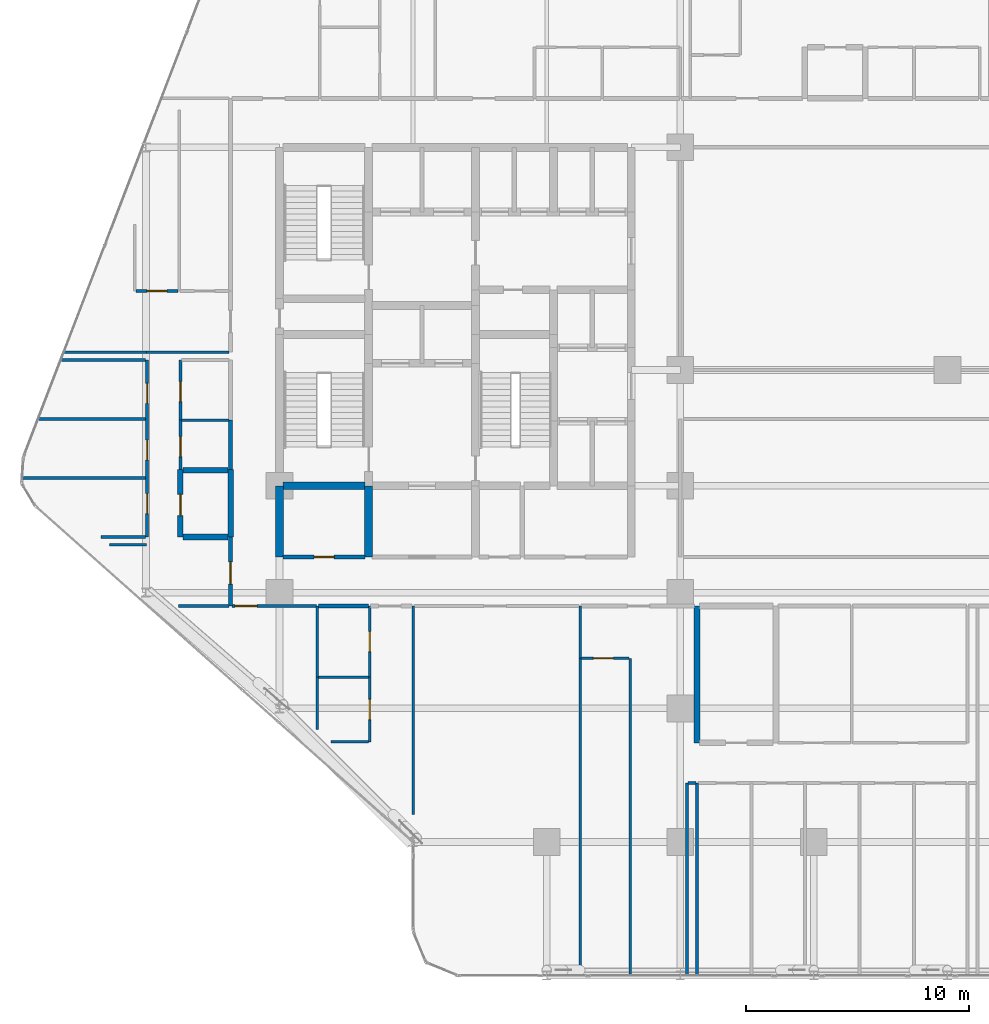
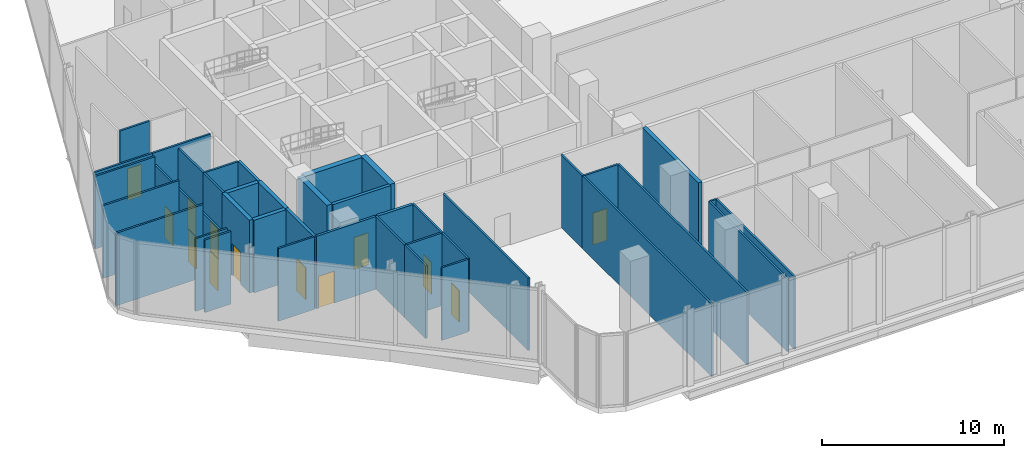
# One storey, part 29 of 36: 40 walls, 13 doors, 13 openings.
"""IFC4 building model written with IfcOpenShell, lengths in metres."""

from ifc_helpers import new_model, si_unit, direction, frame, frame_2d, origin, place, context, subcontext, project, spatial, rectangle, extrude, material, layer, layer_set, type_object, element, fill, save


model = new_model("IFC4")

# Units and contexts
model_context = context("Model", 3, precision=1e-05, world=origin(), true_north=direction((0.0, 1.0)))
body_context = subcontext(model_context, "Body", "Model", "MODEL_VIEW")
ifc_project = project(units=[si_unit("LENGTHUNIT", "METRE"), si_unit("AREAUNIT", "SQUARE_METRE"), si_unit("VOLUMEUNIT", "CUBIC_METRE"), si_unit("PLANEANGLEUNIT", "RADIAN"), si_unit("MASSUNIT", "GRAM", prefix="KILO")], contexts=[model_context])

# Site, building, storey
site_placement = place(None, origin())
site = spatial("IfcSite", under=ifc_project, at=site_placement, CompositionType="ELEMENT")
building_placement = place(site_placement, origin())
building = spatial("IfcBuilding", under=site, at=building_placement, Name="Keshet Zoharim Tower", CompositionType="ELEMENT")
storey_placement = place(building_placement, frame((0.0, 0.0, 81.199951171875)))
storey = spatial("IfcBuildingStorey", under=building, at=storey_placement, Name="L19", CompositionType="ELEMENT", Elevation=81.199951171875)

# Wall, opening, door
ifc_material_1 = material(Name="Gypsum Plasterboard", Category="gypsum")
ifc_layer_1 = layer(ifc_material_1, 0.14990234375)
ifc_layer_set_1 = layer_set([ifc_layer_1], Name="Gypsum Plasterboard")
wall_type_1 = type_object("IfcWallType", Name="WL-CLIN-150", PredefinedType="STANDARD", material=ifc_layer_set_1)
wall_1_placement = place(storey_placement, frame((12.875, 17.300048828125, 0.0), z_axis=(0.0, 0.0, 1.0), x_axis=(1.0, 0.0, 0.0)))
wall_1 = element("IfcWall", 1, at=wall_1_placement, inside=storey, type_object=wall_type_1, Name="L19 Interior Wall 135", PredefinedType="STANDARD", context=body_context, shape_type="SweptSolid", body=[
    extrude(rectangle(XDim=3.780029296875, YDim=0.14990234375, at=frame_2d((1.89013671875, 0.0))), origin(), (0.0, 0.0, 1.0), 4.885009765625),
])
opening_1_placement = place(wall_1_placement, frame((0.1201171875, 0.0, 0.0)))
opening_1 = element("IfcOpeningElement", 2, at=opening_1_placement, cuts=wall_1, Name="Opening D-F310", PredefinedType="OPENING", context=body_context, shape_type="SweptSolid", body=[
    extrude(rectangle(XDim=1.0, YDim=2.14990234375, at=frame_2d((0.5, 1.074951171875))), frame((0.0, 0.0849609375, 0.0), z_axis=(0.0, -1.0, 0.0), x_axis=(1.0, 0.0, 0.0)), (0.0, 0.0, 1.0), 0.169921875),
])
ifc_material_2 = material(Name="Hardwood Timber", Category="wood")
door_type_1 = type_object("IfcDoorType", Name="DR-FD30-100", OperationType="NOTDEFINED", PredefinedType="DOOR", material=ifc_material_2)
door_1_placement = place(opening_1_placement, origin())
door_1 = element("IfcDoor", 3, at=door_1_placement, inside=storey, type_object=door_type_1, Name="L19 South West Residents Services Suite Access Door", OperationType="SINGLE_SWING_LEFT", OverallHeight=2.14990234375, OverallWidth=1.0, PredefinedType="DOOR", context=body_context, shape_type="SweptSolid", body=[
    extrude(rectangle(XDim=1.0, YDim=2.14990234375, at=frame_2d((0.5, 1.074951171875))), frame((0.0, 0.02490234375, 0.0), z_axis=(0.0, -1.0, 0.0), x_axis=(1.0, 0.0, 0.0)), (0.0, 0.0, 1.0), 0.050048828125),
])
fill(opening_1, door_1)

# Walls
ifc_material_3 = material(Name="Concrete C60/75", Category="concrete")
ifc_layer_2 = layer(ifc_material_3, 0.35009765625)
ifc_layer_set_2 = layer_set([ifc_layer_2], Name="Concrete C60/75")
wall_type_2 = type_object("IfcWallType", Name="WL-CORE-350", PredefinedType="SHEAR", material=ifc_layer_set_2)
for number, where, z_axis, x_axis, name in (
    (4, (15.0, 19.5, 0.0), (0.0, 0.0, 1.0), (0.0, 1.0, 0.0), "L19 Core Shear Wall 013"),
    (5, (19.0, 19.5, 0.0), (0.0, 0.0, 1.0), (0.0, 1.0, 0.0), "L19 Core Shear Wall 021"),
):
    element("IfcWall", number, at=place(storey_placement, frame(where, z_axis=z_axis, x_axis=x_axis)), inside=storey, type_object=wall_type_2, Name=name, PredefinedType="SHEAR", context=body_context, shape_type="SweptSolid", body=[
        extrude(rectangle(XDim=3.199951171875, YDim=0.35009765625, at=frame_2d((1.60009765625, 0.0))), origin(), (0.0, 0.0, 1.0), 4.885009765625),
    ])
wall_2_placement = place(storey_placement, frame((15.159912109375, 22.699951171875, 0.0), z_axis=(0.0, 0.0, 1.0), x_axis=(1.0, 0.0, 0.0)))
element("IfcWall", 6, at=wall_2_placement, inside=storey, type_object=wall_type_2, Name="L19 Core Shear Wall 159", PredefinedType="SHEAR", context=body_context, shape_type="SweptSolid", body=[
    extrude(rectangle(XDim=3.68017578125, YDim=0.35009765625, at=frame_2d((1.840087890625, 0.0))), origin(), (0.0, 0.0, 1.0), 4.885009765625),
])

# Wall, opening, door
ifc_layer_3 = layer(ifc_material_1, 0.179931640625)
ifc_layer_set_3 = layer_set([ifc_layer_3], Name="Gypsum Plasterboard")
wall_type_3 = type_object("IfcWallType", Name="WL-CORR-180", PredefinedType="STANDARD", material=ifc_layer_set_3)
wall_3_placement = place(storey_placement, frame((12.800048828125, 17.300048828125, 0.0), z_axis=(0.0, 0.0, 1.0), x_axis=(0.0, 1.0, 0.0)))
wall_3 = element("IfcWall", 7, at=wall_3_placement, inside=storey, type_object=wall_type_3, Name="L19 Interior Wall 007", PredefinedType="STANDARD", context=body_context, shape_type="SweptSolid", body=[
    extrude(rectangle(XDim=3.099853515625, YDim=0.179931640625, at=frame_2d((1.5498046875, 0.0))), origin(), (0.0, 0.0, 1.0), 4.885009765625),
])
opening_2_placement = place(wall_3_placement, frame((0.97802734375, 0.0, 0.0)))
opening_2 = element("IfcOpeningElement", 8, at=opening_2_placement, cuts=wall_3, Name="Opening D-F310", PredefinedType="OPENING", context=body_context, shape_type="SweptSolid", body=[
    extrude(rectangle(XDim=1.0, YDim=2.14990234375, at=frame_2d((0.5, 1.074951171875))), frame((0.0, 0.10009765625, 0.0), z_axis=(0.0, -1.0, 0.0), x_axis=(1.0, 0.0, 0.0)), (0.0, 0.0, 1.0), 0.199951171875),
])
door_2_placement = place(opening_2_placement, origin())
door_2 = element("IfcDoor", 9, at=door_2_placement, inside=storey, type_object=door_type_1, Name="Apartment 1909 Entrance Door", OperationType="SINGLE_SWING_RIGHT", OverallHeight=2.14990234375, OverallWidth=1.0, PredefinedType="DOOR", context=body_context, shape_type="SweptSolid", body=[
    extrude(rectangle(XDim=1.0, YDim=2.14990234375, at=frame_2d((0.5, 1.074951171875))), frame((0.0, 0.02490234375, 0.0), z_axis=(0.0, -1.0, 0.0), x_axis=(1.0, 0.0, 0.0)), (0.0, 0.0, 1.0), 0.050048828125),
])
fill(opening_2, door_2)

# Walls
wall_4_placement = place(storey_placement, frame((12.800048828125, 23.4208984375, 0.0), z_axis=(0.0, 0.0, 1.0), x_axis=(0.0, 1.0, 0.0)))
element("IfcWall", 10, at=wall_4_placement, inside=storey, type_object=wall_type_3, Name="L19 Interior Wall 009", PredefinedType="STANDARD", context=body_context, shape_type="SweptSolid", body=[
    extrude(rectangle(XDim=2.22607421875, YDim=0.179931640625, at=frame_2d((1.113037109375, 0.0))), origin(), (0.0, 0.0, 1.0), 4.885009765625),
])
wall_5_placement = place(storey_placement, frame((16.7451171875, 17.300048828125, 0.0), z_axis=(0.0, 0.0, 1.0), x_axis=(1.0, 0.0, 0.0)))
element("IfcWall", 11, at=wall_5_placement, inside=storey, type_object=wall_type_3, Name="L19 Interior Wall 136", PredefinedType="STANDARD", context=body_context, shape_type="SweptSolid", body=[
    extrude(rectangle(XDim=2.259765625, YDim=0.179931640625, at=frame_2d((1.1298828125, 0.0))), origin(), (0.0, 0.0, 1.0), 4.885009765625),
])

# Wall, opening, door
ifc_material_4 = material(Name="Concrete C50/60", Category="concrete")
ifc_layer_4 = layer(ifc_material_4, 0.199951171875)
ifc_layer_set_4 = layer_set([ifc_layer_4], Name="Concrete C50/60")
wall_type_4 = type_object("IfcWallType", Name="WL-FIRE-200", PredefinedType="STANDARD", material=ifc_layer_set_4)
wall_6_placement = place(storey_placement, frame((15.159912109375, 19.5, 0.0), z_axis=(0.0, 0.0, 1.0), x_axis=(1.0, 0.0, 0.0)))
wall_6 = element("IfcWall", 12, at=wall_6_placement, inside=storey, type_object=wall_type_4, Name="L19 Interior Wall 151", PredefinedType="STANDARD", context=body_context, shape_type="SweptSolid", body=[
    extrude(rectangle(XDim=3.68017578125, YDim=0.199951171875, at=frame_2d((1.840087890625, 0.0))), origin(), (0.0, 0.0, 1.0), 4.885009765625),
])
opening_3_placement = place(wall_6_placement, frame((1.389892578125, 0.0, 0.0)))
opening_3 = element("IfcOpeningElement", 13, at=opening_3_placement, cuts=wall_6, Name="Opening D-F690", PredefinedType="OPENING", context=body_context, shape_type="SweptSolid", body=[
    extrude(rectangle(XDim=0.89990234375, YDim=2.14990234375, at=frame_2d((0.449951171875, 1.074951171875))), frame((0.0, 0.10986328125, 0.0), z_axis=(0.0, -1.0, 0.0), x_axis=(1.0, 0.0, 0.0)), (0.0, 0.0, 1.0), 0.219970703125),
])
door_type_2 = type_object("IfcDoorType", Name="DR-FD60-090", OperationType="NOTDEFINED", PredefinedType="DOOR", material=ifc_material_2)
door_3_placement = place(opening_3_placement, origin())
door_3 = element("IfcDoor", 14, at=door_3_placement, inside=storey, type_object=door_type_2, Name="L19 Refuse Room Door", OperationType="SINGLE_SWING_LEFT", OverallHeight=2.14990234375, OverallWidth=0.89990234375, PredefinedType="DOOR", context=body_context, shape_type="SweptSolid", body=[
    extrude(rectangle(XDim=0.89990234375, YDim=2.14990234375, at=frame_2d((0.449951171875, 1.074951171875))), frame((0.0, 0.02490234375, 0.0), z_axis=(0.0, -1.0, 0.0), x_axis=(1.0, 0.0, 0.0)), (0.0, 0.0, 1.0), 0.050048828125),
])
fill(opening_3, door_3)

ifc_layer_5 = layer(ifc_material_4, 0.25)
ifc_layer_set_5 = layer_set([ifc_layer_5], Name="Concrete C50/60")
wall_type_5 = type_object("IfcWallType", Name="WL-MAMAD-250", PredefinedType="STANDARD", material=ifc_layer_set_5)
wall_7_placement = place(storey_placement, frame((10.550048828125, 20.39990234375, 0.0), z_axis=(0.0, 0.0, 1.0), x_axis=(0.0, 1.0, 0.0)))
wall_7 = element("IfcWall", 15, at=wall_7_placement, inside=storey, type_object=wall_type_5, Name="L19 Interior Wall 004", PredefinedType="STANDARD", context=body_context, shape_type="SweptSolid", body=[
    extrude(rectangle(XDim=3.02099609375, YDim=0.25, at=frame_2d((1.510498046875, 0.0))), origin(), (0.0, 0.0, 1.0), 4.885009765625),
])
opening_4_placement = place(wall_7_placement, frame((0.964111328125, 0.0, 0.0)))
opening_4 = element("IfcOpeningElement", 16, at=opening_4_placement, cuts=wall_7, Name="Opening D-F695", PredefinedType="OPENING", context=body_context, shape_type="SweptSolid", body=[
    extrude(rectangle(XDim=0.949951171875, YDim=2.14990234375, at=frame_2d((0.47509765625, 1.074951171875))), frame((0.0, 0.135009765625, 0.0), z_axis=(0.0, -1.0, 0.0), x_axis=(1.0, 0.0, 0.0)), (0.0, 0.0, 1.0), 0.27001953125),
])
door_type_3 = type_object("IfcDoorType", Name="DR-FD60-095", OperationType="NOTDEFINED", PredefinedType="DOOR", material=ifc_material_2)
door_4_placement = place(opening_4_placement, origin())
door_4 = element("IfcDoor", 17, at=door_4_placement, inside=storey, type_object=door_type_3, Name="Apartment 1909 Study and Shelter Room Door", OperationType="SINGLE_SWING_LEFT", OverallHeight=2.14990234375, OverallWidth=0.949951171875, PredefinedType="DOOR", context=body_context, shape_type="SweptSolid", body=[
    extrude(rectangle(XDim=0.949951171875, YDim=2.14990234375, at=frame_2d((0.47509765625, 1.074951171875))), frame((0.0, 0.02490234375, 0.0), z_axis=(0.0, -1.0, 0.0), x_axis=(1.0, 0.0, 0.0)), (0.0, 0.0, 1.0), 0.050048828125),
])
fill(opening_4, door_4)

# Walls
wall_8_placement = place(storey_placement, frame((12.800048828125, 20.39990234375, 0.0), z_axis=(0.0, 0.0, 1.0), x_axis=(0.0, 1.0, 0.0)))
element("IfcWall", 18, at=wall_8_placement, inside=storey, type_object=wall_type_5, Name="L19 Interior Wall 008", PredefinedType="STANDARD", context=body_context, shape_type="SweptSolid", body=[
    extrude(rectangle(XDim=3.02099609375, YDim=0.25, at=frame_2d((1.510498046875, 0.0))), origin(), (0.0, 0.0, 1.0), 4.885009765625),
])
wall_9_placement = place(storey_placement, frame((33.75, 11.14990234375, 0.0), z_axis=(0.0, 0.0, 1.0), x_axis=(0.0, 1.0, 0.0)))
element("IfcWall", 19, at=wall_9_placement, inside=storey, type_object=wall_type_5, Name="L19 Interior Wall 074", PredefinedType="STANDARD", context=body_context, shape_type="SweptSolid", body=[
    extrude(rectangle(XDim=6.150146484375, YDim=0.25, at=frame_2d((3.0751953125, 0.0))), origin(), (0.0, 0.0, 1.0), 4.885009765625),
])
for number, where, z_axis, x_axis, name in (
    (20, (10.659912109375, 20.39990234375, 0.0), (0.0, 0.0, 1.0), (1.0, 0.0, 0.0), "L19 Interior Wall 158"),
    (21, (10.659912109375, 23.39990234375, 0.0), (0.0, 0.0, 1.0), (1.0, 0.0, 0.0), "L19 Interior Wall 165"),
):
    element("IfcWall", number, at=place(storey_placement, frame(where, z_axis=z_axis, x_axis=x_axis)), inside=storey, type_object=wall_type_5, Name=name, PredefinedType="STANDARD", context=body_context, shape_type="SweptSolid", body=[
        extrude(rectangle(XDim=2.030029296875, YDim=0.25, at=frame_2d((1.01513671875, 0.0))), origin(), (0.0, 0.0, 1.0), 4.885009765625),
    ])

# Wall, openings, doors
ifc_layer_6 = layer(ifc_material_1, 0.1201171875)
ifc_layer_set_6 = layer_set([ifc_layer_6], Name="Gypsum Plasterboard")
wall_type_6 = type_object("IfcWallType", Name="WL-PART-120", PredefinedType="PARTITIONING", material=ifc_layer_set_6)
wall_10_placement = place(storey_placement, frame((9.050048828125, 20.39990234375, 0.0), z_axis=(0.0, 0.0, 1.0), x_axis=(0.0, 1.0, 0.0)))
wall_10 = element("IfcWall", 22, at=wall_10_placement, inside=storey, type_object=wall_type_6, Name="L19 Interior Wall 002", PredefinedType="PARTITIONING", context=body_context, shape_type="SweptSolid", body=[
    extrude(rectangle(XDim=7.9501953125, YDim=0.1201171875, at=frame_2d((3.97509765625, 0.0))), origin(), (0.0, 0.0, 1.0), 4.28515625),
])
opening_5_placement = place(wall_10_placement, frame((1.050048828125, 0.0, 0.0)))
opening_5 = element("IfcOpeningElement", 23, at=opening_5_placement, cuts=wall_10, Name="Opening D-IN90", PredefinedType="OPENING", context=body_context, shape_type="SweptSolid", body=[
    extrude(rectangle(XDim=0.89990234375, YDim=2.14990234375, at=frame_2d((0.449951171875, 1.074951171875))), frame((0.0, 0.070068359375, 0.0), z_axis=(0.0, -1.0, 0.0), x_axis=(1.0, 0.0, 0.0)), (0.0, 0.0, 1.0), 0.14013671875),
])
opening_6_placement = place(wall_10_placement, frame((3.455078125, 0.0, 0.0)))
opening_6 = element("IfcOpeningElement", 24, at=opening_6_placement, cuts=wall_10, Name="Opening D-IN90", PredefinedType="OPENING", context=body_context, shape_type="SweptSolid", body=[
    extrude(rectangle(XDim=0.89990234375, YDim=2.14990234375, at=frame_2d((0.449951171875, 1.074951171875))), frame((0.0, 0.070068359375, 0.0), z_axis=(0.0, -1.0, 0.0), x_axis=(1.0, 0.0, 0.0)), (0.0, 0.0, 1.0), 0.14013671875),
])
opening_7_placement = place(wall_10_placement, frame((6.0, 0.0, 0.0)))
opening_7 = element("IfcOpeningElement", 25, at=opening_7_placement, cuts=wall_10, Name="Opening D-IN90", PredefinedType="OPENING", context=body_context, shape_type="SweptSolid", body=[
    extrude(rectangle(XDim=0.89990234375, YDim=2.14990234375, at=frame_2d((0.449951171875, 1.074951171875))), frame((0.0, 0.070068359375, 0.0), z_axis=(0.0, -1.0, 0.0), x_axis=(1.0, 0.0, 0.0)), (0.0, 0.0, 1.0), 0.14013671875),
])
door_type_4 = type_object("IfcDoorType", Name="DR-INT-090", OperationType="NOTDEFINED", PredefinedType="DOOR", material=ifc_material_2)
door_5_placement = place(opening_5_placement, origin())
door_5 = element("IfcDoor", 26, at=door_5_placement, inside=storey, type_object=door_type_4, Name="Apartment 1909 Bedroom 1 Door", OperationType="SINGLE_SWING_RIGHT", OverallHeight=2.14990234375, OverallWidth=0.89990234375, PredefinedType="DOOR", context=body_context, shape_type="SweptSolid", body=[
    extrude(rectangle(XDim=0.89990234375, YDim=2.14990234375, at=frame_2d((0.449951171875, 1.074951171875))), frame((0.0, 0.02490234375, 0.0), z_axis=(0.0, -1.0, 0.0), x_axis=(1.0, 0.0, 0.0)), (0.0, 0.0, 1.0), 0.050048828125),
])
fill(opening_5, door_5)
door_6_placement = place(opening_6_placement, origin())
door_6 = element("IfcDoor", 27, at=door_6_placement, inside=storey, type_object=door_type_4, Name="Apartment 1909 Bedroom 2 Door", OperationType="SINGLE_SWING_LEFT", OverallHeight=2.14990234375, OverallWidth=0.89990234375, PredefinedType="DOOR", context=body_context, shape_type="SweptSolid", body=[
    extrude(rectangle(XDim=0.89990234375, YDim=2.14990234375, at=frame_2d((0.449951171875, 1.074951171875))), frame((0.0, 0.02490234375, 0.0), z_axis=(0.0, -1.0, 0.0), x_axis=(1.0, 0.0, 0.0)), (0.0, 0.0, 1.0), 0.050048828125),
])
fill(opening_6, door_6)
door_7_placement = place(opening_7_placement, origin())
door_7 = element("IfcDoor", 28, at=door_7_placement, inside=storey, type_object=door_type_4, Name="Apartment 1909 Bedroom 3 Door", OperationType="SINGLE_SWING_RIGHT", OverallHeight=2.14990234375, OverallWidth=0.89990234375, PredefinedType="DOOR", context=body_context, shape_type="SweptSolid", body=[
    extrude(rectangle(XDim=0.89990234375, YDim=2.14990234375, at=frame_2d((0.449951171875, 1.074951171875))), frame((0.0, 0.02490234375, 0.0), z_axis=(0.0, -1.0, 0.0), x_axis=(1.0, 0.0, 0.0)), (0.0, 0.0, 1.0), 0.050048828125),
])
fill(opening_7, door_7)

# Wall, opening, door
wall_11_placement = place(storey_placement, frame((10.550048828125, 25.64697265625, 0.0), z_axis=(0.0, 0.0, 1.0), x_axis=(0.0, 1.0, 0.0)))
wall_11 = element("IfcWall", 29, at=wall_11_placement, inside=storey, type_object=wall_type_6, Name="L19 Interior Wall 006", PredefinedType="PARTITIONING", context=body_context, shape_type="SweptSolid", body=[
    extrude(rectangle(XDim=2.703125, YDim=0.1201171875, at=frame_2d((1.3515625, 0.0))), origin(), (0.0, 0.0, 1.0), 4.885009765625),
])
opening_8_placement = place(wall_11_placement, frame((0.830078125, 0.0, 0.0)))
opening_8 = element("IfcOpeningElement", 30, at=opening_8_placement, cuts=wall_11, Name="Opening D-IN90", PredefinedType="OPENING", context=body_context, shape_type="SweptSolid", body=[
    extrude(rectangle(XDim=0.89990234375, YDim=2.14990234375, at=frame_2d((0.449951171875, 1.074951171875))), frame((0.0, 0.070068359375, 0.0), z_axis=(0.0, -1.0, 0.0), x_axis=(1.0, 0.0, 0.0)), (0.0, 0.0, 1.0), 0.14013671875),
])
door_8_placement = place(opening_8_placement, origin())
door_8 = element("IfcDoor", 31, at=door_8_placement, inside=storey, type_object=door_type_4, Name="Apartment 1909 Kitchen Door", OperationType="SINGLE_SWING_LEFT", OverallHeight=2.14990234375, OverallWidth=0.89990234375, PredefinedType="DOOR", context=body_context, shape_type="SweptSolid", body=[
    extrude(rectangle(XDim=0.89990234375, YDim=2.14990234375, at=frame_2d((0.449951171875, 1.074951171875))), frame((0.0, 0.02490234375, 0.0), z_axis=(0.0, -1.0, 0.0), x_axis=(1.0, 0.0, 0.0)), (0.0, 0.0, 1.0), 0.050048828125),
])
fill(opening_8, door_8)

# Wall
wall_12_placement = place(storey_placement, frame((16.699951171875, 14.10009765625, 0.0), z_axis=(0.0, 0.0, 1.0), x_axis=(0.0, 1.0, 0.0)))
element("IfcWall", 32, at=wall_12_placement, inside=storey, type_object=wall_type_6, Name="L19 Interior Wall 018", PredefinedType="PARTITIONING", context=body_context, shape_type="SweptSolid", body=[
    extrude(rectangle(XDim=3.199951171875, YDim=0.1201171875, at=frame_2d((1.60009765625, 0.0))), origin(), (0.0, 0.0, 1.0), 4.885009765625),
])

# Wall, opening, door
wall_13_placement = place(storey_placement, frame((19.050048828125, 14.10009765625, 0.0), z_axis=(0.0, 0.0, 1.0), x_axis=(0.0, 1.0, 0.0)))
wall_13 = element("IfcWall", 33, at=wall_13_placement, inside=storey, type_object=wall_type_6, Name="L19 Interior Wall 027", PredefinedType="PARTITIONING", context=body_context, shape_type="SweptSolid", body=[
    extrude(rectangle(XDim=3.199951171875, YDim=0.1201171875, at=frame_2d((1.60009765625, 0.0))), origin(), (0.0, 0.0, 1.0), 4.885009765625),
])
opening_9_placement = place(wall_13_placement, frame((1.14990234375, 0.0, 0.0)))
opening_9 = element("IfcOpeningElement", 34, at=opening_9_placement, cuts=wall_13, Name="Opening D-IN90", PredefinedType="OPENING", context=body_context, shape_type="SweptSolid", body=[
    extrude(rectangle(XDim=0.89990234375, YDim=2.14990234375, at=frame_2d((0.449951171875, 1.074951171875))), frame((0.0, 0.070068359375, 0.0), z_axis=(0.0, -1.0, 0.0), x_axis=(1.0, 0.0, 0.0)), (0.0, 0.0, 1.0), 0.14013671875),
])
door_9_placement = place(opening_9_placement, origin())
door_9 = element("IfcDoor", 35, at=door_9_placement, inside=storey, type_object=door_type_4, Name="Apartment 1901 Kitchenette Door", OperationType="SINGLE_SWING_LEFT", OverallHeight=2.14990234375, OverallWidth=0.89990234375, PredefinedType="DOOR", context=body_context, shape_type="SweptSolid", body=[
    extrude(rectangle(XDim=0.89990234375, YDim=2.14990234375, at=frame_2d((0.449951171875, 1.074951171875))), frame((0.0, 0.02490234375, 0.0), z_axis=(0.0, -1.0, 0.0), x_axis=(1.0, 0.0, 0.0)), (0.0, 0.0, 1.0), 0.050048828125),
])
fill(opening_9, door_9)

# Walls
wall_14_placement = place(storey_placement, frame((21.0, 7.930908203125, 0.0), z_axis=(0.0, 0.0, 1.0), x_axis=(0.0, 1.0, 0.0)))
element("IfcWall", 36, at=wall_14_placement, inside=storey, type_object=wall_type_6, Name="L19 Interior Wall 030", PredefinedType="PARTITIONING", context=body_context, shape_type="SweptSolid", body=[
    extrude(rectangle(XDim=9.369140625, YDim=0.1201171875, at=frame_2d((4.6845703125, 0.0))), origin(), (0.0, 0.0, 1.0), 4.885009765625),
])
wall_15_placement = place(storey_placement, frame((28.5, 0.7099609375, 0.0), z_axis=(0.0, 0.0, 1.0), x_axis=(0.0, 1.0, 0.0)))
element("IfcWall", 37, at=wall_15_placement, inside=storey, type_object=wall_type_6, Name="L19 Interior Wall 051", PredefinedType="PARTITIONING", context=body_context, shape_type="SweptSolid", body=[
    extrude(rectangle(XDim=14.239990234375, YDim=0.1201171875, at=frame_2d((7.1201171875, 0.0))), origin(), (0.0, 0.0, 1.0), 4.885009765625),
])
wall_16_placement = place(storey_placement, frame((28.5, 14.949951171875, 0.0), z_axis=(0.0, 0.0, 1.0), x_axis=(0.0, 1.0, 0.0)))
element("IfcWall", 38, at=wall_16_placement, inside=storey, type_object=wall_type_6, Name="L19 Interior Wall 052", PredefinedType="PARTITIONING", context=body_context, shape_type="SweptSolid", body=[
    extrude(rectangle(XDim=2.35009765625, YDim=0.1201171875, at=frame_2d((1.175048828125, 0.0))), origin(), (0.0, 0.0, 1.0), 4.885009765625),
])
wall_17_placement = place(storey_placement, frame((30.75, 0.7099609375, 0.0), z_axis=(0.0, 0.0, 1.0), x_axis=(0.0, 1.0, 0.0)))
element("IfcWall", 39, at=wall_17_placement, inside=storey, type_object=wall_type_6, Name="L19 Interior Wall 058", PredefinedType="PARTITIONING", context=body_context, shape_type="SweptSolid", body=[
    extrude(rectangle(XDim=14.239990234375, YDim=0.1201171875, at=frame_2d((7.1201171875, 0.0))), origin(), (0.0, 0.0, 1.0), 4.885009765625),
])
for number, where, z_axis, x_axis, name in (
    (40, (33.300048828125, 0.7099609375, 0.0), (0.0, 0.0, 1.0), (0.0, 1.0, 0.0), "L19 Interior Wall 069"),
    (41, (33.75, 0.7099609375, 0.0), (0.0, 0.0, 1.0), (0.0, 1.0, 0.0), "L19 Interior Wall 073"),
):
    element("IfcWall", number, at=place(storey_placement, frame(where, z_axis=z_axis, x_axis=x_axis)), inside=storey, type_object=wall_type_6, Name=name, PredefinedType="PARTITIONING", context=body_context, shape_type="SweptSolid", body=[
        extrude(rectangle(XDim=8.64013671875, YDim=0.1201171875, at=frame_2d((4.320068359375, 0.0))), origin(), (0.0, 0.0, 1.0), 4.885009765625),
    ])
wall_18_placement = place(storey_placement, frame((33.344970703125, 9.35009765625, 0.0), z_axis=(0.0, 0.0, 1.0), x_axis=(1.0, 0.0, 0.0)))
element("IfcWall", 42, at=wall_18_placement, inside=storey, type_object=wall_type_6, Name="L19 Interior Wall 116", PredefinedType="PARTITIONING", context=body_context, shape_type="SweptSolid", body=[
    extrude(rectangle(XDim=0.360107421875, YDim=0.1201171875, at=frame_2d((0.18017578125, 0.0))), origin(), (0.0, 0.0, 1.0), 4.885009765625),
])

# Wall, opening, door
wall_19_placement = place(storey_placement, frame((28.544921875, 14.949951171875, 0.0), z_axis=(0.0, 0.0, 1.0), x_axis=(1.0, 0.0, 0.0)))
wall_19 = element("IfcWall", 43, at=wall_19_placement, inside=storey, type_object=wall_type_6, Name="L19 Interior Wall 133", PredefinedType="PARTITIONING", context=body_context, shape_type="SweptSolid", body=[
    extrude(rectangle(XDim=2.16015625, YDim=0.1201171875, at=frame_2d((1.080078125, 0.0))), origin(), (0.0, 0.0, 1.0), 4.885009765625),
])
opening_10_placement = place(wall_19_placement, frame((0.552978515625, 0.0, 0.0)))
opening_10 = element("IfcOpeningElement", 44, at=opening_10_placement, cuts=wall_19, Name="Opening D-IN90", PredefinedType="OPENING", context=body_context, shape_type="SweptSolid", body=[
    extrude(rectangle(XDim=0.89990234375, YDim=2.14990234375, at=frame_2d((0.449951171875, 1.074951171875))), frame((0.0, 0.070068359375, 0.0), z_axis=(0.0, -1.0, 0.0), x_axis=(1.0, 0.0, 0.0)), (0.0, 0.0, 1.0), 0.14013671875),
])
door_10_placement = place(opening_10_placement, origin())
door_10 = element("IfcDoor", 45, at=door_10_placement, inside=storey, type_object=door_type_4, Name="Apartment 1902 Formal Dining Room Door", OperationType="SINGLE_SWING_RIGHT", OverallHeight=2.14990234375, OverallWidth=0.89990234375, PredefinedType="DOOR", context=body_context, shape_type="SweptSolid", body=[
    extrude(rectangle(XDim=0.89990234375, YDim=2.14990234375, at=frame_2d((0.449951171875, 1.074951171875))), frame((0.0, 0.02490234375, 0.0), z_axis=(0.0, -1.0, 0.0), x_axis=(1.0, 0.0, 0.0)), (0.0, 0.0, 1.0), 0.050048828125),
])
fill(opening_10, door_10)

# Walls
wall_20_placement = place(storey_placement, frame((10.4599609375, 17.300048828125, 0.0), z_axis=(0.0, 0.0, 1.0), x_axis=(1.0, 0.0, 0.0)))
element("IfcWall", 46, at=wall_20_placement, inside=storey, type_object=wall_type_6, Name="L19 Interior Wall 134", PredefinedType="PARTITIONING", context=body_context, shape_type="SweptSolid", body=[
    extrude(rectangle(XDim=2.26513671875, YDim=0.1201171875, at=frame_2d((1.132568359375, 0.0))), origin(), (0.0, 0.0, 1.0), 4.885009765625),
])
wall_21_placement = place(storey_placement, frame((7.365966796875, 20.050048828125, 0.0), z_axis=(0.0, 0.0, 1.0), x_axis=(1.0, 0.0, 0.0)))
element("IfcWall", 47, at=wall_21_placement, inside=storey, type_object=wall_type_6, Name="L19 Interior Wall 156", PredefinedType="PARTITIONING", context=body_context, shape_type="SweptSolid", body=[
    extrude(rectangle(XDim=1.6640625, YDim=0.1201171875, at=frame_2d((0.83203125, 0.0))), origin(), (0.0, 0.0, 1.0), 4.885009765625),
])
wall_22_placement = place(storey_placement, frame((6.971923828125, 20.39990234375, 0.0), z_axis=(0.0, 0.0, 1.0), x_axis=(1.0, 0.0, 0.0)))
element("IfcWall", 48, at=wall_22_placement, inside=storey, type_object=wall_type_6, Name="L19 Interior Wall 157", PredefinedType="PARTITIONING", context=body_context, shape_type="SweptSolid", body=[
    extrude(rectangle(XDim=2.01318359375, YDim=0.1201171875, at=frame_2d((1.006591796875, 0.0))), origin(), (0.0, 0.0, 1.0), 4.885009765625),
])
wall_23_placement = place(storey_placement, frame((3.446044921875, 23.050048828125, 0.0), z_axis=(0.0, 0.0, 1.0), x_axis=(1.0, 0.0, 0.0)))
element("IfcWall", 49, at=wall_23_placement, inside=storey, type_object=wall_type_6, Name="L19 Interior Wall 164", PredefinedType="PARTITIONING", context=body_context, shape_type="SweptSolid", body=[
    extrude(rectangle(XDim=5.5390625, YDim=0.1201171875, at=frame_2d((2.76953125, 0.0))), origin(), (0.0, 0.0, 1.0), 4.885009765625),
])
wall_24_placement = place(storey_placement, frame((4.1640625, 25.699951171875, 0.0), z_axis=(0.0, 0.0, 1.0), x_axis=(1.0, 0.0, 0.0)))
element("IfcWall", 50, at=wall_24_placement, inside=storey, type_object=wall_type_6, Name="L19 Interior Wall 168", PredefinedType="PARTITIONING", context=body_context, shape_type="SweptSolid", body=[
    extrude(rectangle(XDim=4.821044921875, YDim=0.1201171875, at=frame_2d((2.41064453125, 0.0))), origin(), (0.0, 0.0, 1.0), 4.885009765625),
])
wall_25_placement = place(storey_placement, frame((5.18310546875, 28.35009765625, 0.0), z_axis=(0.0, 0.0, 1.0), x_axis=(1.0, 0.0, 0.0)))
element("IfcWall", 51, at=wall_25_placement, inside=storey, type_object=wall_type_6, Name="L19 Interior Wall 172", PredefinedType="PARTITIONING", context=body_context, shape_type="SweptSolid", body=[
    extrude(rectangle(XDim=3.802001953125, YDim=0.1201171875, at=frame_2d((1.90087890625, 0.0))), origin(), (0.0, 0.0, 1.0), 4.885009765625),
])
wall_26_placement = place(storey_placement, frame((5.31689453125, 28.699951171875, 0.0), z_axis=(0.0, 0.0, 1.0), x_axis=(1.0, 0.0, 0.0)))
element("IfcWall", 52, at=wall_26_placement, inside=storey, type_object=wall_type_6, Name="L19 Interior Wall 174", PredefinedType="PARTITIONING", context=body_context, shape_type="SweptSolid", body=[
    extrude(rectangle(XDim=3.713134765625, YDim=0.1201171875, at=frame_2d((1.8564453125, 0.0))), origin(), (0.0, 0.0, 1.0), 4.885009765625),
])
wall_27_placement = place(storey_placement, frame((9.030029296875, 28.699951171875, 0.0), z_axis=(0.0, 0.0, 1.0), x_axis=(1.0, 0.0, 0.0)))
element("IfcWall", 53, at=wall_27_placement, inside=storey, type_object=wall_type_6, Name="L19 Interior Wall 175", PredefinedType="PARTITIONING", context=body_context, shape_type="SweptSolid", body=[
    extrude(rectangle(XDim=3.695068359375, YDim=0.1201171875, at=frame_2d((1.84765625, 0.0))), origin(), (0.0, 0.0, 1.0), 4.885009765625),
])

# Wall, opening, door
wall_28_placement = place(storey_placement, frame((8.544921875, 31.449951171875, 0.0), z_axis=(0.0, 0.0, 1.0), x_axis=(1.0, 0.0, 0.0)))
wall_28 = element("IfcWall", 54, at=wall_28_placement, inside=storey, type_object=wall_type_6, Name="L19 Interior Wall 181", PredefinedType="PARTITIONING", context=body_context, shape_type="SweptSolid", body=[
    extrude(rectangle(XDim=1.88818359375, YDim=0.1201171875, at=frame_2d((0.944091796875, 0.0))), origin(), (0.0, 0.0, 1.0), 4.885009765625),
])
opening_11_placement = place(wall_28_placement, frame((0.493896484375, 0.0, 0.0)))
opening_11 = element("IfcOpeningElement", 55, at=opening_11_placement, cuts=wall_28, Name="Opening D-IN90", PredefinedType="OPENING", context=body_context, shape_type="SweptSolid", body=[
    extrude(rectangle(XDim=0.89990234375, YDim=2.14990234375, at=frame_2d((0.449951171875, 1.074951171875))), frame((0.0, 0.070068359375, 0.0), z_axis=(0.0, -1.0, 0.0), x_axis=(1.0, 0.0, 0.0)), (0.0, 0.0, 1.0), 0.14013671875),
])
door_11_placement = place(opening_11_placement, origin())
door_11 = element("IfcDoor", 56, at=door_11_placement, inside=storey, type_object=door_type_4, Name="Apartment 1910 Kitchen Door", OperationType="SINGLE_SWING_RIGHT", OverallHeight=2.14990234375, OverallWidth=0.89990234375, PredefinedType="DOOR", context=body_context, shape_type="SweptSolid", body=[
    extrude(rectangle(XDim=0.89990234375, YDim=2.14990234375, at=frame_2d((0.449951171875, 1.074951171875))), frame((0.0, 0.02490234375, 0.0), z_axis=(0.0, -1.0, 0.0), x_axis=(1.0, 0.0, 0.0)), (0.0, 0.0, 1.0), 0.050048828125),
])
fill(opening_11, door_11)

ifc_layer_7 = layer(ifc_material_1, 0.1201171875)
ifc_layer_set_7 = layer_set([ifc_layer_7], Name="Gypsum Plasterboard")
wall_type_7 = type_object("IfcWallType", Name="WL-WET-120", PredefinedType="PARTITIONING", material=ifc_layer_set_7)
wall_29_placement = place(storey_placement, frame((10.550048828125, 23.4208984375, 0.0), z_axis=(0.0, 0.0, 1.0), x_axis=(0.0, 1.0, 0.0)))
wall_29 = element("IfcWall", 57, at=wall_29_placement, inside=storey, type_object=wall_type_7, Name="L19 Interior Wall 005", PredefinedType="PARTITIONING", context=body_context, shape_type="SweptSolid", body=[
    extrude(rectangle(XDim=2.22607421875, YDim=0.1201171875, at=frame_2d((1.113037109375, 0.0))), origin(), (0.0, 0.0, 1.0), 4.885009765625),
])
opening_12_placement = place(wall_29_placement, frame((0.583984375, 0.0, 0.0)))
opening_12 = element("IfcOpeningElement", 58, at=opening_12_placement, cuts=wall_29, Name="Opening D-WT90", PredefinedType="OPENING", context=body_context, shape_type="SweptSolid", body=[
    extrude(rectangle(XDim=0.89990234375, YDim=2.10009765625, at=frame_2d((0.449951171875, 1.050048828125))), frame((0.0, 0.070068359375, 0.0), z_axis=(0.0, -1.0, 0.0), x_axis=(1.0, 0.0, 0.0)), (0.0, 0.0, 1.0), 0.14013671875),
])
door_type_5 = type_object("IfcDoorType", Name="DR-WET-090", OperationType="NOTDEFINED", PredefinedType="DOOR", material=ifc_material_2)
door_12_placement = place(opening_12_placement, origin())
door_12 = element("IfcDoor", 59, at=door_12_placement, inside=storey, type_object=door_type_5, Name="Apartment 1909 Bathroom Door", OperationType="SINGLE_SWING_RIGHT", OverallHeight=2.10009765625, OverallWidth=0.89990234375, PredefinedType="DOOR", context=body_context, shape_type="SweptSolid", body=[
    extrude(rectangle(XDim=0.89990234375, YDim=2.10009765625, at=frame_2d((0.449951171875, 1.050048828125))), frame((0.0, 0.02490234375, 0.0), z_axis=(0.0, -1.0, 0.0), x_axis=(1.0, 0.0, 0.0)), (0.0, 0.0, 1.0), 0.050048828125),
])
fill(opening_12, door_12)

# Wall
wall_30_placement = place(storey_placement, frame((16.699951171875, 11.7529296875, 0.0), z_axis=(0.0, 0.0, 1.0), x_axis=(0.0, 1.0, 0.0)))
element("IfcWall", 60, at=wall_30_placement, inside=storey, type_object=wall_type_7, Name="L19 Interior Wall 017", PredefinedType="PARTITIONING", context=body_context, shape_type="SweptSolid", body=[
    extrude(rectangle(XDim=2.34716796875, YDim=0.1201171875, at=frame_2d((1.173583984375, 0.0))), origin(), (0.0, 0.0, 1.0), 4.885009765625),
])

# Wall, opening, door
wall_31_placement = place(storey_placement, frame((19.050048828125, 11.199951171875, 0.0), z_axis=(0.0, 0.0, 1.0), x_axis=(0.0, 1.0, 0.0)))
wall_31 = element("IfcWall", 61, at=wall_31_placement, inside=storey, type_object=wall_type_7, Name="L19 Interior Wall 026", PredefinedType="PARTITIONING", context=body_context, shape_type="SweptSolid", body=[
    extrude(rectangle(XDim=2.900146484375, YDim=0.1201171875, at=frame_2d((1.4501953125, 0.0))), origin(), (0.0, 0.0, 1.0), 4.885009765625),
])
opening_13_placement = place(wall_31_placement, frame((1.0, 0.0, 0.0)))
opening_13 = element("IfcOpeningElement", 62, at=opening_13_placement, cuts=wall_31, Name="Opening D-WT90", PredefinedType="OPENING", context=body_context, shape_type="SweptSolid", body=[
    extrude(rectangle(XDim=0.89990234375, YDim=2.10009765625, at=frame_2d((0.449951171875, 1.050048828125))), frame((0.0, 0.070068359375, 0.0), z_axis=(0.0, -1.0, 0.0), x_axis=(1.0, 0.0, 0.0)), (0.0, 0.0, 1.0), 0.14013671875),
])
door_13_placement = place(opening_13_placement, origin())
door_13 = element("IfcDoor", 63, at=door_13_placement, inside=storey, type_object=door_type_5, Name="Apartment 1901 Bathroom Door", OperationType="SINGLE_SWING_RIGHT", OverallHeight=2.10009765625, OverallWidth=0.89990234375, PredefinedType="DOOR", context=body_context, shape_type="SweptSolid", body=[
    extrude(rectangle(XDim=0.89990234375, YDim=2.10009765625, at=frame_2d((0.449951171875, 1.050048828125))), frame((0.0, 0.02490234375, 0.0), z_axis=(0.0, -1.0, 0.0), x_axis=(1.0, 0.0, 0.0)), (0.0, 0.0, 1.0), 0.050048828125),
])
fill(opening_13, door_13)

# Walls
wall_32_placement = place(storey_placement, frame((17.322021484375, 11.199951171875, 0.0), z_axis=(0.0, 0.0, 1.0), x_axis=(1.0, 0.0, 0.0)))
element("IfcWall", 64, at=wall_32_placement, inside=storey, type_object=wall_type_7, Name="L19 Interior Wall 131", PredefinedType="PARTITIONING", context=body_context, shape_type="SweptSolid", body=[
    extrude(rectangle(XDim=1.682861328125, YDim=0.1201171875, at=frame_2d((0.84130859375, 0.0))), origin(), (0.0, 0.0, 1.0), 4.885009765625),
])
wall_33_placement = place(storey_placement, frame((16.7451171875, 14.10009765625, 0.0), z_axis=(0.0, 0.0, 1.0), x_axis=(1.0, 0.0, 0.0)))
element("IfcWall", 65, at=wall_33_placement, inside=storey, type_object=wall_type_7, Name="L19 Interior Wall 132", PredefinedType="PARTITIONING", context=body_context, shape_type="SweptSolid", body=[
    extrude(rectangle(XDim=2.259765625, YDim=0.1201171875, at=frame_2d((1.1298828125, 0.0))), origin(), (0.0, 0.0, 1.0), 4.885009765625),
])
wall_34_placement = place(storey_placement, frame((10.594970703125, 25.64990234375, 0.0), z_axis=(0.0, 0.0, 1.0), x_axis=(1.0, 0.0, 0.0)))
element("IfcWall", 66, at=wall_34_placement, inside=storey, type_object=wall_type_7, Name="L19 Interior Wall 167", PredefinedType="PARTITIONING", context=body_context, shape_type="SweptSolid", body=[
    extrude(rectangle(XDim=2.130126953125, YDim=0.1201171875, at=frame_2d((1.06494140625, 0.0))), origin(), (0.0, 0.0, 1.0), 4.885009765625),
])

save(model, "model.ifc")
